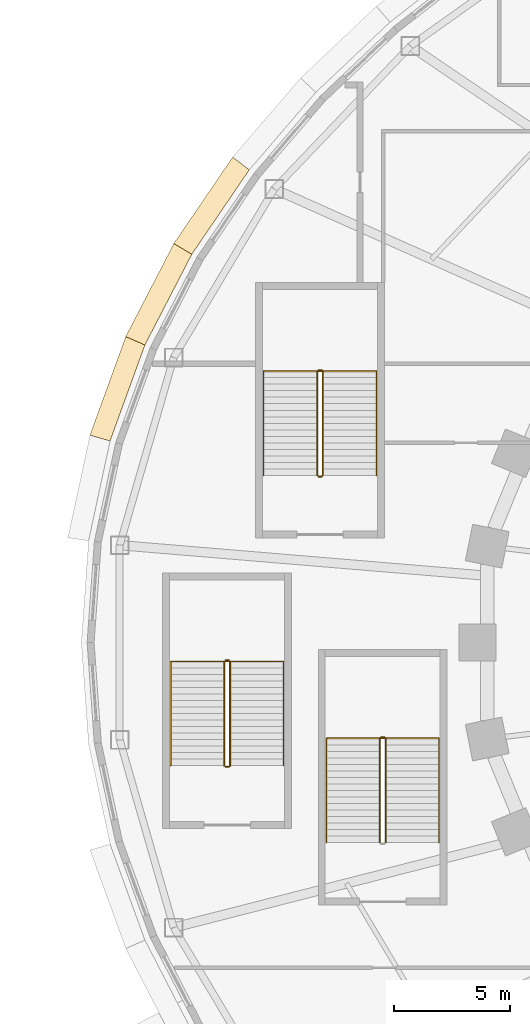
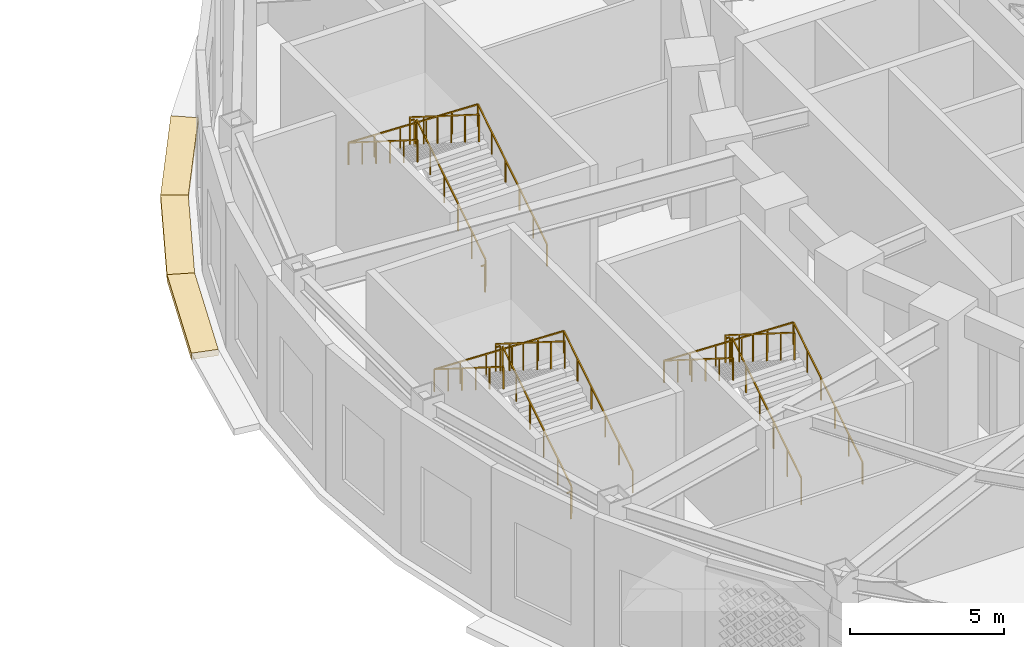
# One storey, part 45 of 74: 14 railings, 3 coverings.
"""IFC4 building model written with IfcOpenShell, lengths in metres."""

import ifcopenshell
import ifcopenshell.guid

model = None  # the IFC model being written
_history = None  # IfcOwnerHistory: only IFC2X3 demands one
_inside = {}  # id of a spatial element -> (the spatial element, [elements in it])
_under = {}  # id of a project, library or spatial element -> (it, [spatial elements below it])
_declared = {}  # id of a project -> (the project, [libraries it declares])
_typed = {}  # id of a type object -> (the type object, [elements of that type])
_made_of = {}  # id of a material, layer set ... -> (it, [elements and type objects made of it])


def new_model(schema):
    """Start an empty IFC model of exactly this schema.

    Asked for "IFC4X3", IfcOpenShell would pick the latest addendum, in which some entities
    have other attributes; the version numbers below select the first issue.
    IFC2X3 requires an IfcOwnerHistory on every rooted entity: one is made here for all.
    """
    global model, _history
    if schema == "IFC4X3":
        model = ifcopenshell.file(schema_version=(4, 3, 0, 0))
    else:
        model = ifcopenshell.file(schema=schema)
    _inside.clear()
    _under.clear()
    _declared.clear()
    _typed.clear()
    _made_of.clear()
    _history = None
    if model.schema == "IFC2X3":
        org = make("IfcOrganization", Name="unknown")
        user = make(
            "IfcPersonAndOrganization",
            ThePerson=make("IfcPerson", FamilyName="unknown"),
            TheOrganization=org,
        )
        app = make(
            "IfcApplication",
            ApplicationDeveloper=org,
            Version="unknown",
            ApplicationFullName="unknown",
            ApplicationIdentifier="unknown",
        )
        _history = make(
            "IfcOwnerHistory",
            OwningUser=user,
            OwningApplication=app,
            ChangeAction="ADDED",
            CreationDate=0,
        )
    return model


def make(cls, **values):
    """One entity of the class cls with the attributes given. An attribute that is None is left unset."""
    return model.create_entity(
        cls, **{name: value for name, value in values.items() if value is not None}
    )


def rooted(cls, **values):
    """An entity with a GlobalId (a new one), such as an element, a storey or a relation."""
    return make(cls, GlobalId=ifcopenshell.guid.new(), OwnerHistory=_history, **values)


def si_unit(unit_type, name, prefix=None):
    """IfcSIUnit, for example si_unit("LENGTHUNIT", "METRE", prefix="MILLI")."""
    return make("IfcSIUnit", UnitType=unit_type, Prefix=prefix, Name=name)


def assignment(units):
    """IfcUnitAssignment: the units of a project."""
    return None if units is None else make("IfcUnitAssignment", Units=units)


def point(xyz):
    """IfcCartesianPoint."""
    return None if xyz is None else make("IfcCartesianPoint", Coordinates=xyz)


def direction(xyz):
    """IfcDirection."""
    return None if xyz is None else make("IfcDirection", DirectionRatios=xyz)


def frame(location, z_axis=None, x_axis=None):
    """IfcAxis2Placement3D, a coordinate frame: its origin and axes. An axis left out is left unset."""
    return make(
        "IfcAxis2Placement3D",
        Location=point(location),
        Axis=direction(z_axis),
        RefDirection=direction(x_axis),
    )


def frame_2d(location, x_axis=None):
    """IfcAxis2Placement2D, a coordinate frame in the plane: its origin and x axis."""
    return make(
        "IfcAxis2Placement2D", Location=point(location), RefDirection=direction(x_axis)
    )


def origin():
    """The frame at (0, 0, 0) with its axes left unset."""
    return frame((0.0, 0.0, 0.0))


def origin_2d():
    """The frame at (0, 0) in the plane with its x axis left unset."""
    return frame_2d((0.0, 0.0))


def place(relative_to, where):
    """IfcLocalPlacement: puts the frame where relative to a parent placement (None: the world)."""
    return make(
        "IfcLocalPlacement", PlacementRelTo=relative_to, RelativePlacement=where
    )


def context(
    kind, dimensions, precision=None, world=None, true_north=None, identifier=None
):
    """IfcGeometricRepresentationContext, for example the 3D "Model" context."""
    return make(
        "IfcGeometricRepresentationContext",
        ContextIdentifier=identifier,
        ContextType=kind,
        CoordinateSpaceDimension=dimensions,
        Precision=precision,
        WorldCoordinateSystem=world,
        TrueNorth=true_north,
    )


def subcontext(parent, identifier, kind, view, scale=None):
    """IfcGeometricRepresentationSubContext, for example "Body" below "Model"."""
    return make(
        "IfcGeometricRepresentationSubContext",
        ContextIdentifier=identifier,
        ContextType=kind,
        ParentContext=parent,
        TargetScale=scale,
        TargetView=view,
    )


def project(units=None, contexts=None):
    """IfcProject with its units and contexts."""
    return rooted(
        "IfcProject",
        Name="project",
        RepresentationContexts=contexts,
        UnitsInContext=assignment(units),
    )


def spatial(cls, under=None, at=None, **own):
    """A site, building, storey or space (cls), placed at a placement, below another one or the project."""
    s = rooted(cls, ObjectPlacement=at, **own)
    if under is not None:
        _under.setdefault(under.id(), (under, []))[1].append(s)
    return s


def polyline(points):
    """IfcPolyline through the points."""
    return make("IfcPolyline", Points=[point(p) for p in points])


def profile(cls, at=None, kind="AREA", **sizes):
    """A parametric profile (cls). Its sizes go by their IFC names, for example OverallWidth=200.0."""
    return make(cls, ProfileType=kind, Position=at, **sizes)


def rectangle(**sizes):
    """IfcRectangleProfileDef."""
    return profile("IfcRectangleProfileDef", **sizes)


def outline(outer, holes=None, kind="AREA"):
    """IfcArbitraryClosedProfileDef: a profile drawn as a closed curve; with holes, ...WithVoids."""
    if holes is None:
        return make("IfcArbitraryClosedProfileDef", ProfileType=kind, OuterCurve=outer)
    return make(
        "IfcArbitraryProfileDefWithVoids",
        ProfileType=kind,
        OuterCurve=outer,
        InnerCurves=holes,
    )


def extrude(swept, where, along, depth):
    """IfcExtrudedAreaSolid: the profile swept, set in the frame where, extruded along a direction by depth."""
    return make(
        "IfcExtrudedAreaSolid",
        SweptArea=swept,
        Position=where,
        ExtrudedDirection=direction(along),
        Depth=depth,
    )


def shape(context_of_items, identifier, shape_type, items):
    """IfcShapeRepresentation: the items that make up one representation, for example the "Body"."""
    return make(
        "IfcShapeRepresentation",
        ContextOfItems=context_of_items,
        RepresentationIdentifier=identifier,
        RepresentationType=shape_type,
        Items=items,
    )


def material(Name=None, Category=None):
    """IfcMaterial."""
    return make("IfcMaterial", Name=Name, Category=Category)


def made_of(thing, what):
    """Note that an element or type object is made of a material, layer set ...; save() writes the relation."""
    if what is not None:
        _made_of.setdefault(what.id(), (what, []))[1].append(thing)
    return thing


def type_object(cls, material=None, **own):
    """A type object (cls), such as IfcWallType, which elements share."""
    return made_of(rooted(cls, **own), material)


def element(
    cls,
    number,
    at=None,
    inside=None,
    cuts=None,
    type_object=None,
    material=None,
    context=None,
    identifier="Body",
    shape_type=None,
    held_by="IfcProductDefinitionShape",
    body=None,
    shapes=None,
    **own,
):
    """One element of the class cls, such as IfcWall. Its Tag is "e" and its number.

    at: its placement. inside: the storey or other place that contains it. cuts: it is an
    opening in that element (IfcRelVoidsElement). A single representation is given by context,
    identifier, shape_type and body (its items); several are given by shapes. held_by: the class
    of the entity that holds the representations. save() writes the other relations.
    """
    e = rooted(cls, Tag="e%d" % number, ObjectPlacement=at, **own)
    if body is not None:
        shapes = [shape(context, identifier, shape_type, body)]
    if shapes is not None:
        e.Representation = make(held_by, Representations=shapes)
    if inside is not None:
        _inside.setdefault(inside.id(), (inside, []))[1].append(e)
    if cuts is not None:
        rooted(
            "IfcRelVoidsElement", RelatingBuildingElement=cuts, RelatedOpeningElement=e
        )
    if type_object is not None:
        _typed.setdefault(type_object.id(), (type_object, []))[1].append(e)
    return made_of(e, material)


def aggregate(whole, parts):
    """IfcRelAggregates: a whole, such as a stair, and the parts it consists of."""
    return rooted("IfcRelAggregates", RelatingObject=whole, RelatedObjects=parts)


def save(model, path):
    """Write the relations noted so far, then the file.

    IfcRelAggregates (storeys below a building ...), IfcRelContainedInSpatialStructure (elements
    in a storey), IfcRelDefinesByType, IfcRelAssociatesMaterial and IfcRelDeclares: one each for
    every whole, place, type object, material and project.
    """
    for whole, parts in _under.values():
        aggregate(whole, parts)
    for where, things in _inside.values():
        rooted(
            "IfcRelContainedInSpatialStructure",
            RelatedElements=things,
            RelatingStructure=where,
        )
    for kind, things in _typed.values():
        rooted("IfcRelDefinesByType", RelatedObjects=things, RelatingType=kind)
    for what, things in _made_of.values():
        rooted("IfcRelAssociatesMaterial", RelatedObjects=things, RelatingMaterial=what)
    for by, libraries in _declared.values():
        rooted("IfcRelDeclares", RelatingContext=by, RelatedDefinitions=libraries)
    model.write(path)


model = new_model("IFC4")

# Units and contexts
model_context = context("Model", 3, precision=1e-05, world=origin(), true_north=direction((0.0, 1.0)))
body_context = subcontext(model_context, "Body", "Model", "MODEL_VIEW")
ifc_project = project(units=[si_unit("LENGTHUNIT", "METRE"), si_unit("AREAUNIT", "SQUARE_METRE"), si_unit("VOLUMEUNIT", "CUBIC_METRE"), si_unit("PLANEANGLEUNIT", "RADIAN"), si_unit("MASSUNIT", "GRAM", prefix="KILO")], contexts=[model_context])

# Site, building, storey
site_placement = place(None, origin())
site = spatial("IfcSite", under=ifc_project, at=site_placement, CompositionType="ELEMENT")
building_placement = place(site_placement, origin())
building = spatial("IfcBuilding", under=site, at=building_placement, Name="Noorbagh Ring Tower", CompositionType="ELEMENT")
storey_placement = place(building_placement, frame((0.0, 0.0, 7.5)))
storey = spatial("IfcBuildingStorey", under=building, at=storey_placement, Name="L01", CompositionType="ELEMENT", Elevation=7.5)

# Railings
ifc_material_1 = material(Name="Stainless steel", Category="steel")
railing_type_1 = type_object("IfcRailingType", Name="GND-STAIR-GUARD", PredefinedType="GUARDRAIL", material=ifc_material_1)
railing_1_placement = place(storey_placement, frame((-38.89990234375, -8.60009765625, 0.176513671875)))
element("IfcRailing", 1, at=railing_1_placement, inside=storey, type_object=railing_type_1, Name="L01 ST-P1 stair guard", PredefinedType="GUARDRAIL", context=body_context, shape_type="SweptSolid", body=[
    extrude(rectangle(XDim=0.048095703125, YDim=0.048095703125, at=origin_2d()), frame((0.0, 0.0, 1.076171875), z_axis=(0.0, 0.845997938375, 0.533186166611), x_axis=(-1.0, 0.0, 0.0)), (0.0, 0.0, 1.0), 5.29541015625),
    extrude(rectangle(XDim=0.0419921875, YDim=0.0419921875, at=origin_2d()), origin(), (0.0, 0.0, 1.0), 1.052001953125),
    extrude(rectangle(XDim=0.0419921875, YDim=0.0419921875, at=origin_2d()), frame((0.0, 0.89599609375, 0.564697265625)), (0.0, 0.0, 1.0), 1.052001953125),
    extrude(rectangle(XDim=0.0419921875, YDim=0.0419921875, at=origin_2d()), frame((0.0, 1.7919921875, 1.12939453125)), (0.0, 0.0, 1.0), 1.052001953125),
    extrude(rectangle(XDim=0.0419921875, YDim=0.0419921875, at=origin_2d()), frame((0.0, 2.68798828125, 1.694091796875)), (0.0, 0.0, 1.0), 1.052001953125),
    extrude(rectangle(XDim=0.0419921875, YDim=0.0419921875, at=origin_2d()), frame((0.0, 3.583984375, 2.2587890625)), (0.0, 0.0, 1.0), 1.052001953125),
    extrude(rectangle(XDim=0.0419921875, YDim=0.0419921875, at=origin_2d()), frame((0.0, 4.47998046875, 2.823486328125)), (0.0, 0.0, 1.0), 1.052001953125),
])
railing_2_placement = place(storey_placement, frame((-38.949951171875, -4.070068359375, 3.0)))
element("IfcRailing", 2, at=railing_2_placement, inside=storey, type_object=railing_type_1, Name="L01 ST-P1 stair guard", PredefinedType="GUARDRAIL", context=body_context, shape_type="SweptSolid", body=[
    extrude(rectangle(XDim=0.048095703125, YDim=0.048095703125, at=origin_2d()), frame((0.0, 0.0, 1.076171875), z_axis=(-1.0, 0.0, 0.0), x_axis=(0.0, -1.0, 0.0)), (0.0, 0.0, 1.0), 0.150146484375),
    extrude(rectangle(XDim=0.0419921875, YDim=0.0419921875, at=origin_2d()), origin(), (0.0, 0.0, 1.0), 1.052001953125),
])
railing_3_placement = place(storey_placement, frame((-39.14990234375, -4.1201171875, 3.176513671875)))
element("IfcRailing", 3, at=railing_3_placement, inside=storey, type_object=railing_type_1, Name="L01 ST-P1 stair guard", PredefinedType="GUARDRAIL", context=body_context, shape_type="SweptSolid", body=[
    extrude(rectangle(XDim=0.048095703125, YDim=0.048095703125, at=origin_2d()), frame((0.0, 0.0, 1.076171875), z_axis=(0.0, -0.845997938375, 0.533186166611), x_axis=(1.0, 0.0, 0.0)), (0.0, 0.0, 1.0), 5.29541015625),
    extrude(rectangle(XDim=0.0419921875, YDim=0.0419921875, at=origin_2d()), origin(), (0.0, 0.0, 1.0), 1.052001953125),
    extrude(rectangle(XDim=0.0419921875, YDim=0.0419921875, at=origin_2d()), frame((0.0, -0.89599609375, 0.564697265625)), (0.0, 0.0, 1.0), 1.052001953125),
    extrude(rectangle(XDim=0.0419921875, YDim=0.0419921875, at=origin_2d()), frame((0.0, -1.7919921875, 1.12939453125)), (0.0, 0.0, 1.0), 1.052001953125),
    extrude(rectangle(XDim=0.0419921875, YDim=0.0419921875, at=origin_2d()), frame((0.0, -2.68798828125, 1.694091796875)), (0.0, 0.0, 1.0), 1.052001953125),
    extrude(rectangle(XDim=0.0419921875, YDim=0.0419921875, at=origin_2d()), frame((0.0, -3.583984375, 2.2587890625)), (0.0, 0.0, 1.0), 1.052001953125),
    extrude(rectangle(XDim=0.0419921875, YDim=0.0419921875, at=origin_2d()), frame((0.0, -4.47998046875, 2.823486328125)), (0.0, 0.0, 1.0), 1.052001953125),
])
railing_4_placement = place(storey_placement, frame((-45.60009765625, -5.300048828125, 0.176513671875)))
element("IfcRailing", 4, at=railing_4_placement, inside=storey, type_object=railing_type_1, Name="L01 ST-P3 stair guard", PredefinedType="GUARDRAIL", context=body_context, shape_type="SweptSolid", body=[
    extrude(rectangle(XDim=0.048095703125, YDim=0.048095703125, at=origin_2d()), frame((0.0, 0.0, 1.076171875), z_axis=(0.0, 0.845997938375, 0.533186166611), x_axis=(-1.0, 0.0, 0.0)), (0.0, 0.0, 1.0), 5.29541015625),
    extrude(rectangle(XDim=0.0419921875, YDim=0.0419921875, at=origin_2d()), origin(), (0.0, 0.0, 1.0), 1.052001953125),
    extrude(rectangle(XDim=0.0419921875, YDim=0.0419921875, at=origin_2d()), frame((0.0, 0.89599609375, 0.564697265625)), (0.0, 0.0, 1.0), 1.052001953125),
    extrude(rectangle(XDim=0.0419921875, YDim=0.0419921875, at=origin_2d()), frame((0.0, 1.7919921875, 1.12939453125)), (0.0, 0.0, 1.0), 1.052001953125),
    extrude(rectangle(XDim=0.0419921875, YDim=0.0419921875, at=origin_2d()), frame((0.0, 2.68798828125, 1.694091796875)), (0.0, 0.0, 1.0), 1.052001953125),
    extrude(rectangle(XDim=0.0419921875, YDim=0.0419921875, at=origin_2d()), frame((0.0, 3.583984375, 2.2587890625)), (0.0, 0.0, 1.0), 1.052001953125),
    extrude(rectangle(XDim=0.0419921875, YDim=0.0419921875, at=origin_2d()), frame((0.0, 4.47998046875, 2.823486328125)), (0.0, 0.0, 1.0), 1.052001953125),
])
railing_5_placement = place(storey_placement, frame((-45.64990234375, -0.77001953125, 3.0)))
element("IfcRailing", 5, at=railing_5_placement, inside=storey, type_object=railing_type_1, Name="L01 ST-P3 stair guard", PredefinedType="GUARDRAIL", context=body_context, shape_type="SweptSolid", body=[
    extrude(rectangle(XDim=0.048095703125, YDim=0.048095703125, at=origin_2d()), frame((0.0, 0.0, 1.076171875), z_axis=(-1.0, 0.0, 0.0), x_axis=(0.0, -1.0, 0.0)), (0.0, 0.0, 1.0), 0.150146484375),
    extrude(rectangle(XDim=0.0419921875, YDim=0.0419921875, at=origin_2d()), origin(), (0.0, 0.0, 1.0), 1.052001953125),
])
railing_6_placement = place(storey_placement, frame((-45.85009765625, -0.820068359375, 3.176513671875)))
element("IfcRailing", 6, at=railing_6_placement, inside=storey, type_object=railing_type_1, Name="L01 ST-P3 stair guard", PredefinedType="GUARDRAIL", context=body_context, shape_type="SweptSolid", body=[
    extrude(rectangle(XDim=0.048095703125, YDim=0.048095703125, at=origin_2d()), frame((0.0, 0.0, 1.076171875), z_axis=(0.0, -0.845997938375, 0.533186166611), x_axis=(1.0, 0.0, 0.0)), (0.0, 0.0, 1.0), 5.29541015625),
    extrude(rectangle(XDim=0.0419921875, YDim=0.0419921875, at=origin_2d()), origin(), (0.0, 0.0, 1.0), 1.052001953125),
    extrude(rectangle(XDim=0.0419921875, YDim=0.0419921875, at=origin_2d()), frame((0.0, -0.89599609375, 0.564697265625)), (0.0, 0.0, 1.0), 1.052001953125),
    extrude(rectangle(XDim=0.0419921875, YDim=0.0419921875, at=origin_2d()), frame((0.0, -1.7919921875, 1.12939453125)), (0.0, 0.0, 1.0), 1.052001953125),
    extrude(rectangle(XDim=0.0419921875, YDim=0.0419921875, at=origin_2d()), frame((0.0, -2.68798828125, 1.694091796875)), (0.0, 0.0, 1.0), 1.052001953125),
    extrude(rectangle(XDim=0.0419921875, YDim=0.0419921875, at=origin_2d()), frame((0.0, -3.583984375, 2.2587890625)), (0.0, 0.0, 1.0), 1.052001953125),
    extrude(rectangle(XDim=0.0419921875, YDim=0.0419921875, at=origin_2d()), frame((0.0, -4.47998046875, 2.823486328125)), (0.0, 0.0, 1.0), 1.052001953125),
])
railing_7_placement = place(storey_placement, frame((-45.64990234375, -5.35009765625, 0.0)))
element("IfcRailing", 7, at=railing_7_placement, inside=storey, type_object=railing_type_1, Name="L01 ST-P3 stair guard", PredefinedType="GUARDRAIL", context=body_context, shape_type="SweptSolid", body=[
    extrude(rectangle(XDim=0.048095703125, YDim=0.048095703125, at=origin_2d()), frame((0.0, 0.0, 1.076171875), z_axis=(-1.0, 0.0, 0.0), x_axis=(0.0, -1.0, 0.0)), (0.0, 0.0, 1.0), 0.150146484375),
    extrude(rectangle(XDim=0.0419921875, YDim=0.0419921875, at=origin_2d()), origin(), (0.0, 0.0, 1.0), 1.052001953125),
])
railing_8_placement = place(storey_placement, frame((-41.60009765625, 7.199951171875, 0.176513671875)))
element("IfcRailing", 8, at=railing_8_placement, inside=storey, type_object=railing_type_1, Name="L01 ST-P7 stair guard", PredefinedType="GUARDRAIL", context=body_context, shape_type="SweptSolid", body=[
    extrude(rectangle(XDim=0.048095703125, YDim=0.048095703125, at=origin_2d()), frame((0.0, 0.0, 1.076171875), z_axis=(0.0, 0.845997938375, 0.533186166611), x_axis=(-1.0, 0.0, 0.0)), (0.0, 0.0, 1.0), 5.29541015625),
    extrude(rectangle(XDim=0.0419921875, YDim=0.0419921875, at=origin_2d()), origin(), (0.0, 0.0, 1.0), 1.052001953125),
    extrude(rectangle(XDim=0.0419921875, YDim=0.0419921875, at=origin_2d()), frame((0.0, 0.89599609375, 0.564697265625)), (0.0, 0.0, 1.0), 1.052001953125),
    extrude(rectangle(XDim=0.0419921875, YDim=0.0419921875, at=origin_2d()), frame((0.0, 1.7919921875, 1.12939453125)), (0.0, 0.0, 1.0), 1.052001953125),
    extrude(rectangle(XDim=0.0419921875, YDim=0.0419921875, at=origin_2d()), frame((0.0, 2.68798828125, 1.694091796875)), (0.0, 0.0, 1.0), 1.052001953125),
    extrude(rectangle(XDim=0.0419921875, YDim=0.0419921875, at=origin_2d()), frame((0.0, 3.583984375, 2.2587890625)), (0.0, 0.0, 1.0), 1.052001953125),
    extrude(rectangle(XDim=0.0419921875, YDim=0.0419921875, at=origin_2d()), frame((0.0, 4.47998046875, 2.823486328125)), (0.0, 0.0, 1.0), 1.052001953125),
])
railing_9_placement = place(storey_placement, frame((-41.64990234375, 11.72998046875, 3.0)))
element("IfcRailing", 9, at=railing_9_placement, inside=storey, type_object=railing_type_1, Name="L01 ST-P7 stair guard", PredefinedType="GUARDRAIL", context=body_context, shape_type="SweptSolid", body=[
    extrude(rectangle(XDim=0.048095703125, YDim=0.048095703125, at=origin_2d()), frame((0.0, 0.0, 1.076171875), z_axis=(-1.0, 0.0, 0.0), x_axis=(0.0, -1.0, 0.0)), (0.0, 0.0, 1.0), 0.150146484375),
    extrude(rectangle(XDim=0.0419921875, YDim=0.0419921875, at=origin_2d()), origin(), (0.0, 0.0, 1.0), 1.052001953125),
])
railing_10_placement = place(storey_placement, frame((-41.85009765625, 11.679931640625, 3.176513671875)))
element("IfcRailing", 10, at=railing_10_placement, inside=storey, type_object=railing_type_1, Name="L01 ST-P7 stair guard", PredefinedType="GUARDRAIL", context=body_context, shape_type="SweptSolid", body=[
    extrude(rectangle(XDim=0.048095703125, YDim=0.048095703125, at=origin_2d()), frame((0.0, 0.0, 1.076171875), z_axis=(0.0, -0.845997938375, 0.533186166611), x_axis=(1.0, 0.0, 0.0)), (0.0, 0.0, 1.0), 5.29541015625),
    extrude(rectangle(XDim=0.0419921875, YDim=0.0419921875, at=origin_2d()), origin(), (0.0, 0.0, 1.0), 1.052001953125),
    extrude(rectangle(XDim=0.0419921875, YDim=0.0419921875, at=origin_2d()), frame((0.0, -0.89599609375, 0.564697265625)), (0.0, 0.0, 1.0), 1.052001953125),
    extrude(rectangle(XDim=0.0419921875, YDim=0.0419921875, at=origin_2d()), frame((0.0, -1.7919921875, 1.12939453125)), (0.0, 0.0, 1.0), 1.052001953125),
    extrude(rectangle(XDim=0.0419921875, YDim=0.0419921875, at=origin_2d()), frame((0.0, -2.68798828125, 1.694091796875)), (0.0, 0.0, 1.0), 1.052001953125),
    extrude(rectangle(XDim=0.0419921875, YDim=0.0419921875, at=origin_2d()), frame((0.0, -3.583984375, 2.2587890625)), (0.0, 0.0, 1.0), 1.052001953125),
    extrude(rectangle(XDim=0.0419921875, YDim=0.0419921875, at=origin_2d()), frame((0.0, -4.47998046875, 2.823486328125)), (0.0, 0.0, 1.0), 1.052001953125),
])
railing_11_placement = place(storey_placement, frame((-41.64990234375, 7.14990234375, 0.0)))
element("IfcRailing", 11, at=railing_11_placement, inside=storey, type_object=railing_type_1, Name="L01 ST-P7 stair guard", PredefinedType="GUARDRAIL", context=body_context, shape_type="SweptSolid", body=[
    extrude(rectangle(XDim=0.048095703125, YDim=0.048095703125, at=origin_2d()), frame((0.0, 0.0, 1.076171875), z_axis=(-1.0, 0.0, 0.0), x_axis=(0.0, -1.0, 0.0)), (0.0, 0.0, 1.0), 0.150146484375),
    extrude(rectangle(XDim=0.0419921875, YDim=0.0419921875, at=origin_2d()), origin(), (0.0, 0.0, 1.0), 1.052001953125),
])
ifc_material_2 = material(Name="Stainless steel", Category="steel")
railing_type_2 = type_object("IfcRailingType", Name="GND-STAIR-HANDRAIL", PredefinedType="HANDRAIL", material=ifc_material_2)
railing_12_placement = place(storey_placement, frame((-36.60009765625, -8.60009765625, 0.176513671875)))
element("IfcRailing", 12, at=railing_12_placement, inside=storey, type_object=railing_type_2, Name="L01 ST-P1 stair handrail", PredefinedType="HANDRAIL", context=body_context, shape_type="SweptSolid", body=[
    extrude(rectangle(XDim=0.048095703125, YDim=0.048095703125, at=origin_2d()), frame((0.0, 0.0, 0.8759765625), z_axis=(0.0, 0.845997938375, 0.533186166611), x_axis=(-1.0, 0.0, 0.0)), (0.0, 0.0, 1.0), 5.29541015625),
    extrude(rectangle(XDim=0.048095703125, YDim=0.048095703125, at=origin_2d()), frame((0.0, 4.47998046875, 3.69921875), z_axis=(-0.999338334855, 0.0, 0.036371589031), x_axis=(0.0, -1.0, 0.0)), (0.0, 0.0, 1.0), 4.85302734375),
    extrude(rectangle(XDim=0.048095703125, YDim=0.048095703125, at=origin_2d()), frame((-4.849853515625, 4.47998046875, 3.8759765625), z_axis=(0.0, -0.845997938375, 0.533186166611), x_axis=(1.0, 0.0, 0.0)), (0.0, 0.0, 1.0), 5.29541015625),
    extrude(rectangle(XDim=0.0419921875, YDim=0.0419921875, at=origin_2d()), origin(), (0.0, 0.0, 1.0), 0.851806640625),
    extrude(rectangle(XDim=0.0419921875, YDim=0.0419921875, at=origin_2d()), frame((0.0, 0.89599609375, 0.564697265625)), (0.0, 0.0, 1.0), 0.851806640625),
    extrude(rectangle(XDim=0.0419921875, YDim=0.0419921875, at=origin_2d()), frame((0.0, 1.7919921875, 1.12939453125)), (0.0, 0.0, 1.0), 0.851806640625),
    extrude(rectangle(XDim=0.0419921875, YDim=0.0419921875, at=origin_2d()), frame((0.0, 2.68798828125, 1.694091796875)), (0.0, 0.0, 1.0), 0.851806640625),
    extrude(rectangle(XDim=0.0419921875, YDim=0.0419921875, at=origin_2d()), frame((0.0, 3.583984375, 2.2587890625)), (0.0, 0.0, 1.0), 0.851806640625),
    extrude(rectangle(XDim=0.0419921875, YDim=0.0419921875, at=origin_2d()), frame((0.0, 4.47998046875, 2.823486328125)), (0.0, 0.0, 1.0), 0.851806640625),
    extrude(rectangle(XDim=0.0419921875, YDim=0.0419921875, at=origin_2d()), frame((-0.969970703125, 4.47998046875, 2.85888671875)), (0.0, 0.0, 1.0), 0.851806640625),
    extrude(rectangle(XDim=0.0419921875, YDim=0.0419921875, at=origin_2d()), frame((-1.93994140625, 4.47998046875, 2.89404296875)), (0.0, 0.0, 1.0), 0.851806640625),
    extrude(rectangle(XDim=0.0419921875, YDim=0.0419921875, at=origin_2d()), frame((-2.909912109375, 4.47998046875, 2.929443359375)), (0.0, 0.0, 1.0), 0.851806640625),
    extrude(rectangle(XDim=0.0419921875, YDim=0.0419921875, at=origin_2d()), frame((-3.8798828125, 4.47998046875, 2.964599609375)), (0.0, 0.0, 1.0), 0.851806640625),
    extrude(rectangle(XDim=0.0419921875, YDim=0.0419921875, at=origin_2d()), frame((-4.849853515625, 4.47998046875, 3.0)), (0.0, 0.0, 1.0), 0.851806640625),
    extrude(rectangle(XDim=0.0419921875, YDim=0.0419921875, at=origin_2d()), frame((-4.849853515625, 3.583984375, 3.564697265625)), (0.0, 0.0, 1.0), 0.851806640625),
    extrude(rectangle(XDim=0.0419921875, YDim=0.0419921875, at=origin_2d()), frame((-4.849853515625, 2.68798828125, 4.12939453125)), (0.0, 0.0, 1.0), 0.851806640625),
    extrude(rectangle(XDim=0.0419921875, YDim=0.0419921875, at=origin_2d()), frame((-4.849853515625, 1.7919921875, 4.694091796875)), (0.0, 0.0, 1.0), 0.851806640625),
    extrude(rectangle(XDim=0.0419921875, YDim=0.0419921875, at=origin_2d()), frame((-4.849853515625, 0.89599609375, 5.2587890625)), (0.0, 0.0, 1.0), 0.851806640625),
    extrude(rectangle(XDim=0.0419921875, YDim=0.0419921875, at=origin_2d()), frame((-4.849853515625, 0.0, 5.823486328125)), (0.0, 0.0, 1.0), 0.851806640625),
])
railing_13_placement = place(storey_placement, frame((-43.300048828125, -5.300048828125, 0.176513671875)))
element("IfcRailing", 13, at=railing_13_placement, inside=storey, type_object=railing_type_2, Name="L01 ST-P3 stair handrail", PredefinedType="HANDRAIL", context=body_context, shape_type="SweptSolid", body=[
    extrude(rectangle(XDim=0.048095703125, YDim=0.048095703125, at=origin_2d()), frame((0.0, 0.0, 0.8759765625), z_axis=(0.0, 0.845997938375, 0.533186166611), x_axis=(-1.0, 0.0, 0.0)), (0.0, 0.0, 1.0), 5.29541015625),
    extrude(rectangle(XDim=0.048095703125, YDim=0.048095703125, at=origin_2d()), frame((0.0, 4.47998046875, 3.69921875), z_axis=(-0.999338334855, 0.0, 0.036371589031), x_axis=(0.0, -1.0, 0.0)), (0.0, 0.0, 1.0), 4.85302734375),
    extrude(rectangle(XDim=0.048095703125, YDim=0.048095703125, at=origin_2d()), frame((-4.849853515625, 4.47998046875, 3.8759765625), z_axis=(0.0, -0.845997938375, 0.533186166611), x_axis=(1.0, 0.0, 0.0)), (0.0, 0.0, 1.0), 5.29541015625),
    extrude(rectangle(XDim=0.0419921875, YDim=0.0419921875, at=origin_2d()), origin(), (0.0, 0.0, 1.0), 0.851806640625),
    extrude(rectangle(XDim=0.0419921875, YDim=0.0419921875, at=origin_2d()), frame((0.0, 0.89599609375, 0.564697265625)), (0.0, 0.0, 1.0), 0.851806640625),
    extrude(rectangle(XDim=0.0419921875, YDim=0.0419921875, at=origin_2d()), frame((0.0, 1.7919921875, 1.12939453125)), (0.0, 0.0, 1.0), 0.851806640625),
    extrude(rectangle(XDim=0.0419921875, YDim=0.0419921875, at=origin_2d()), frame((0.0, 2.68798828125, 1.694091796875)), (0.0, 0.0, 1.0), 0.851806640625),
    extrude(rectangle(XDim=0.0419921875, YDim=0.0419921875, at=origin_2d()), frame((0.0, 3.583984375, 2.2587890625)), (0.0, 0.0, 1.0), 0.851806640625),
    extrude(rectangle(XDim=0.0419921875, YDim=0.0419921875, at=origin_2d()), frame((0.0, 4.47998046875, 2.823486328125)), (0.0, 0.0, 1.0), 0.851806640625),
    extrude(rectangle(XDim=0.0419921875, YDim=0.0419921875, at=origin_2d()), frame((-0.969970703125, 4.47998046875, 2.85888671875)), (0.0, 0.0, 1.0), 0.851806640625),
    extrude(rectangle(XDim=0.0419921875, YDim=0.0419921875, at=origin_2d()), frame((-1.93994140625, 4.47998046875, 2.89404296875)), (0.0, 0.0, 1.0), 0.851806640625),
    extrude(rectangle(XDim=0.0419921875, YDim=0.0419921875, at=origin_2d()), frame((-2.909912109375, 4.47998046875, 2.929443359375)), (0.0, 0.0, 1.0), 0.851806640625),
    extrude(rectangle(XDim=0.0419921875, YDim=0.0419921875, at=origin_2d()), frame((-3.8798828125, 4.47998046875, 2.964599609375)), (0.0, 0.0, 1.0), 0.851806640625),
    extrude(rectangle(XDim=0.0419921875, YDim=0.0419921875, at=origin_2d()), frame((-4.849853515625, 4.47998046875, 3.0)), (0.0, 0.0, 1.0), 0.851806640625),
    extrude(rectangle(XDim=0.0419921875, YDim=0.0419921875, at=origin_2d()), frame((-4.849853515625, 3.583984375, 3.564697265625)), (0.0, 0.0, 1.0), 0.851806640625),
    extrude(rectangle(XDim=0.0419921875, YDim=0.0419921875, at=origin_2d()), frame((-4.849853515625, 2.68798828125, 4.12939453125)), (0.0, 0.0, 1.0), 0.851806640625),
    extrude(rectangle(XDim=0.0419921875, YDim=0.0419921875, at=origin_2d()), frame((-4.849853515625, 1.7919921875, 4.694091796875)), (0.0, 0.0, 1.0), 0.851806640625),
    extrude(rectangle(XDim=0.0419921875, YDim=0.0419921875, at=origin_2d()), frame((-4.849853515625, 0.89599609375, 5.2587890625)), (0.0, 0.0, 1.0), 0.851806640625),
    extrude(rectangle(XDim=0.0419921875, YDim=0.0419921875, at=origin_2d()), frame((-4.849853515625, 0.0, 5.823486328125)), (0.0, 0.0, 1.0), 0.851806640625),
])
railing_14_placement = place(storey_placement, frame((-39.300048828125, 7.199951171875, 0.176513671875)))
element("IfcRailing", 14, at=railing_14_placement, inside=storey, type_object=railing_type_2, Name="L01 ST-P7 stair handrail", PredefinedType="HANDRAIL", context=body_context, shape_type="SweptSolid", body=[
    extrude(rectangle(XDim=0.048095703125, YDim=0.048095703125, at=origin_2d()), frame((0.0, 0.0, 0.8759765625), z_axis=(0.0, 0.845997938375, 0.533186166611), x_axis=(-1.0, 0.0, 0.0)), (0.0, 0.0, 1.0), 5.29541015625),
    extrude(rectangle(XDim=0.048095703125, YDim=0.048095703125, at=origin_2d()), frame((0.0, 4.47998046875, 3.69921875), z_axis=(-0.999338334855, 0.0, 0.036371589031), x_axis=(0.0, -1.0, 0.0)), (0.0, 0.0, 1.0), 4.85302734375),
    extrude(rectangle(XDim=0.048095703125, YDim=0.048095703125, at=origin_2d()), frame((-4.849853515625, 4.47998046875, 3.8759765625), z_axis=(0.0, -0.845997938375, 0.533186166611), x_axis=(1.0, 0.0, 0.0)), (0.0, 0.0, 1.0), 5.29541015625),
    extrude(rectangle(XDim=0.0419921875, YDim=0.0419921875, at=origin_2d()), origin(), (0.0, 0.0, 1.0), 0.851806640625),
    extrude(rectangle(XDim=0.0419921875, YDim=0.0419921875, at=origin_2d()), frame((0.0, 0.89599609375, 0.564697265625)), (0.0, 0.0, 1.0), 0.851806640625),
    extrude(rectangle(XDim=0.0419921875, YDim=0.0419921875, at=origin_2d()), frame((0.0, 1.7919921875, 1.12939453125)), (0.0, 0.0, 1.0), 0.851806640625),
    extrude(rectangle(XDim=0.0419921875, YDim=0.0419921875, at=origin_2d()), frame((0.0, 2.68798828125, 1.694091796875)), (0.0, 0.0, 1.0), 0.851806640625),
    extrude(rectangle(XDim=0.0419921875, YDim=0.0419921875, at=origin_2d()), frame((0.0, 3.583984375, 2.2587890625)), (0.0, 0.0, 1.0), 0.851806640625),
    extrude(rectangle(XDim=0.0419921875, YDim=0.0419921875, at=origin_2d()), frame((0.0, 4.47998046875, 2.823486328125)), (0.0, 0.0, 1.0), 0.851806640625),
    extrude(rectangle(XDim=0.0419921875, YDim=0.0419921875, at=origin_2d()), frame((-0.969970703125, 4.47998046875, 2.85888671875)), (0.0, 0.0, 1.0), 0.851806640625),
    extrude(rectangle(XDim=0.0419921875, YDim=0.0419921875, at=origin_2d()), frame((-1.93994140625, 4.47998046875, 2.89404296875)), (0.0, 0.0, 1.0), 0.851806640625),
    extrude(rectangle(XDim=0.0419921875, YDim=0.0419921875, at=origin_2d()), frame((-2.909912109375, 4.47998046875, 2.929443359375)), (0.0, 0.0, 1.0), 0.851806640625),
    extrude(rectangle(XDim=0.0419921875, YDim=0.0419921875, at=origin_2d()), frame((-3.8798828125, 4.47998046875, 2.964599609375)), (0.0, 0.0, 1.0), 0.851806640625),
    extrude(rectangle(XDim=0.0419921875, YDim=0.0419921875, at=origin_2d()), frame((-4.849853515625, 4.47998046875, 3.0)), (0.0, 0.0, 1.0), 0.851806640625),
    extrude(rectangle(XDim=0.0419921875, YDim=0.0419921875, at=origin_2d()), frame((-4.849853515625, 3.583984375, 3.564697265625)), (0.0, 0.0, 1.0), 0.851806640625),
    extrude(rectangle(XDim=0.0419921875, YDim=0.0419921875, at=origin_2d()), frame((-4.849853515625, 2.68798828125, 4.12939453125)), (0.0, 0.0, 1.0), 0.851806640625),
    extrude(rectangle(XDim=0.0419921875, YDim=0.0419921875, at=origin_2d()), frame((-4.849853515625, 1.7919921875, 4.694091796875)), (0.0, 0.0, 1.0), 0.851806640625),
    extrude(rectangle(XDim=0.0419921875, YDim=0.0419921875, at=origin_2d()), frame((-4.849853515625, 0.89599609375, 5.2587890625)), (0.0, 0.0, 1.0), 0.851806640625),
    extrude(rectangle(XDim=0.0419921875, YDim=0.0419921875, at=origin_2d()), frame((-4.849853515625, 0.0, 5.823486328125)), (0.0, 0.0, 1.0), 0.851806640625),
])

# Coverings
ifc_material_3 = material(Name="Red sandstone eave", Category="masonry")
covering_type = type_object("IfcCoveringType", Name="STY-CHHAJJA", PredefinedType="USERDEFINED", material=ifc_material_3)
covering_1_placement = place(storey_placement, frame((0.0, 0.0, -0.25)))
element("IfcCovering", 15, at=covering_1_placement, inside=storey, type_object=covering_type, Name="Chhajja eave", ObjectType="CHHAJJA", PredefinedType="USERDEFINED", context=body_context, shape_type="SweptSolid", body=[
    extrude(outline(polyline([(-44.77001953125, 20.346923828125), (-47.2431640625, 16.71337890625), (-48.017578125, 17.175048828125), (-45.485595703125, 20.89501953125), (-44.77001953125, 20.346923828125)])), origin(), (0.0, 0.0, 1.0), 0.25),
])
covering_2_placement = place(storey_placement, frame((0.0, 0.0, -0.25)))
element("IfcCovering", 16, at=covering_2_placement, inside=storey, type_object=covering_type, Name="Chhajja eave", ObjectType="CHHAJJA", PredefinedType="USERDEFINED", context=body_context, shape_type="SweptSolid", body=[
    extrude(outline(polyline([(-47.2431640625, 16.71337890625), (-49.26171875, 12.809326171875), (-50.087646484375, 13.171142578125), (-48.017578125, 17.175048828125), (-47.2431640625, 16.71337890625)])), origin(), (0.0, 0.0, 1.0), 0.25),
])
covering_3_placement = place(storey_placement, frame((0.0, 0.0, -0.25)))
element("IfcCovering", 17, at=covering_3_placement, inside=storey, type_object=covering_type, Name="Chhajja eave", ObjectType="CHHAJJA", PredefinedType="USERDEFINED", context=body_context, shape_type="SweptSolid", body=[
    extrude(outline(polyline([(-49.26171875, 12.809326171875), (-50.76123046875, 8.6787109375), (-51.628173828125, 8.92822265625), (-50.087646484375, 13.171142578125), (-49.26171875, 12.809326171875)])), origin(), (0.0, 0.0, 1.0), 0.25),
])

save(model, "model.ifc")
